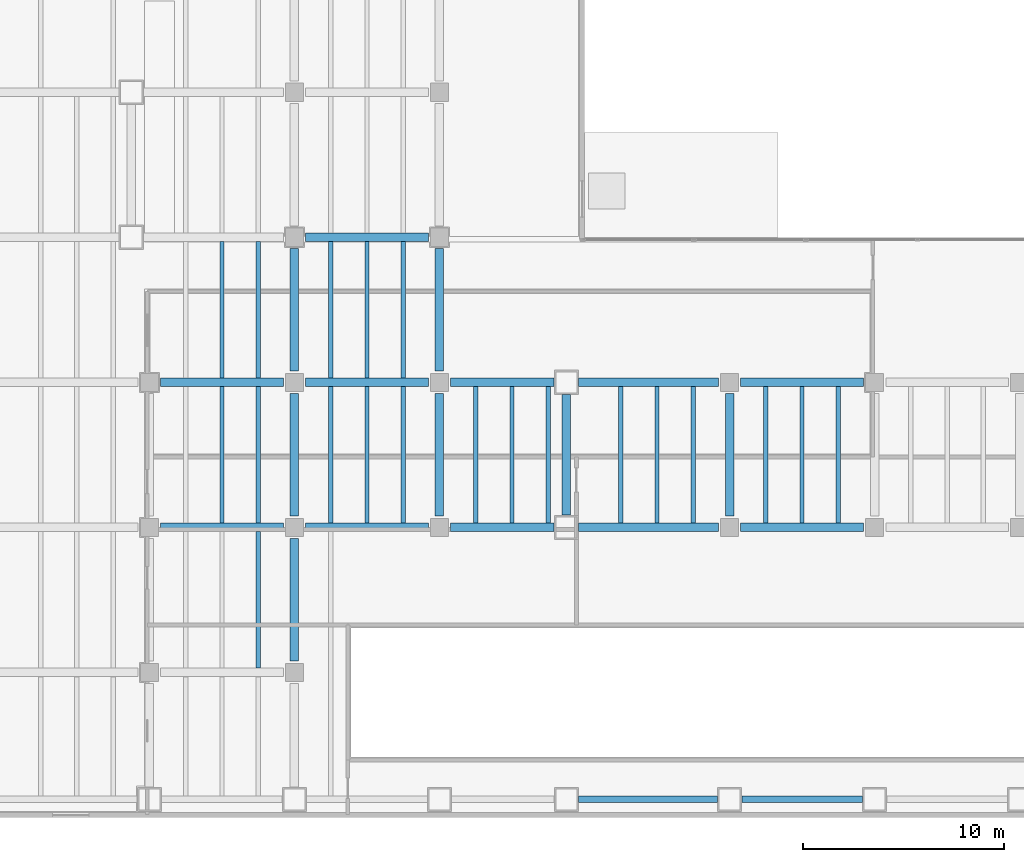
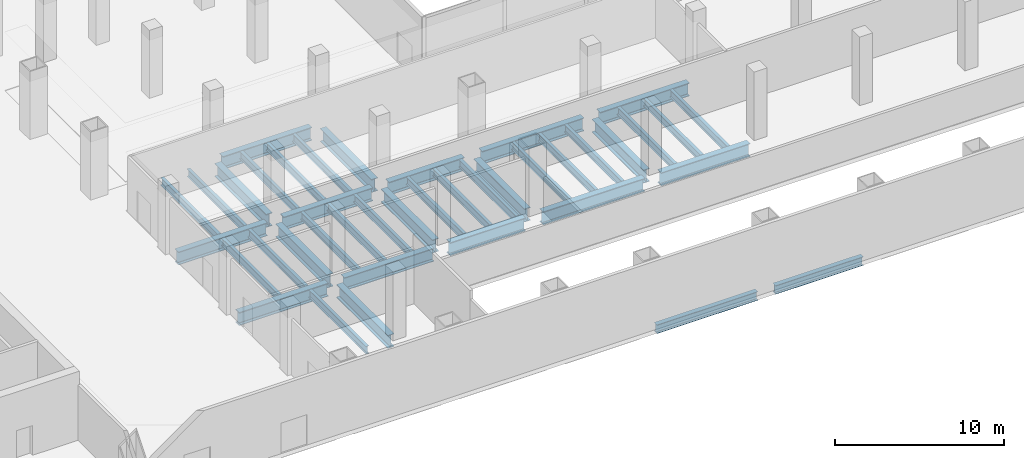
# One storey, part 2 of 17: 40 beams.
"""IFC4 building model written with IfcOpenShell, lengths in metres."""

from ifc_helpers import new_model, si_unit, direction, frame, origin, origin_2d, place, context, subcontext, project, spatial, i_section, extrude, material, material_profile, profile_set, type_object, element, save


model = new_model("IFC4")

# Units and contexts
model_context = context("Model", 3, precision=1e-05, world=origin(), true_north=direction((0.0, 1.0)))
body_context = subcontext(model_context, "Body", "Model", "MODEL_VIEW")
ifc_project = project(units=[si_unit("LENGTHUNIT", "METRE"), si_unit("AREAUNIT", "SQUARE_METRE"), si_unit("VOLUMEUNIT", "CUBIC_METRE"), si_unit("PLANEANGLEUNIT", "RADIAN"), si_unit("MASSUNIT", "GRAM", prefix="KILO")], contexts=[model_context])

# Site, building, storey
site_placement = place(None, origin())
site = spatial("IfcSite", under=ifc_project, at=site_placement, CompositionType="ELEMENT")
building_placement = place(site_placement, origin())
building = spatial("IfcBuilding", under=site, at=building_placement, Name="Cobrela Telecom Tower", CompositionType="ELEMENT")
storey_placement = place(building_placement, origin())
storey = spatial("IfcBuildingStorey", under=building, at=storey_placement, Name="L00", CompositionType="ELEMENT", Elevation=0.0)

# Beams
ifc_material = material(Name="Steel ASTM A992 Grade 50", Category="steel")
ifc_material_profile_1 = material_profile(ifc_material, i_section(OverallWidth=0.424072265625, OverallDepth=0.947021484375, WebThickness=0.02392578125, FlangeThickness=0.042724609375, FilletRadius=0.02392578125, at=origin_2d()), Name="W36X302")
ifc_profile_set_1 = profile_set([ifc_material_profile_1], Name="Steel ASTM A992 Grade 50")
beam_type_1 = type_object("IfcBeamType", Name="BM-GIRD-01", PredefinedType="USERDEFINED", material=ifc_profile_set_1)
for number, where, z_axis, x_axis, name in (
    (1, (29.35498046875, 14.39990234375, -0.7734375), (1.0, 0.0, 0.0), (0.0, 1.0, 0.0), "L00 Primary Girder X15"),
    (2, (36.554931640625, 14.39990234375, -0.7734375), (1.0, 0.0, 0.0), (0.0, 1.0, 0.0), "L00 Primary Girder X16"),
):
    element("IfcBeam", number, at=place(storey_placement, frame(where, z_axis=z_axis, x_axis=x_axis)), inside=storey, type_object=beam_type_1, Name=name, ObjectType="GIRDER", PredefinedType="USERDEFINED", context=body_context, shape_type="SweptSolid", body=[
        extrude(i_section(OverallWidth=0.424072265625, OverallDepth=0.947021484375, WebThickness=0.02392578125, FlangeThickness=0.042724609375, FilletRadius=0.02392578125, at=origin_2d()), origin(), (0.0, 0.0, 1.0), 6.090087890625),
    ])
beam_1_placement = place(storey_placement, frame((43.7548828125, 14.39990234375, -0.7734375), z_axis=(1.0, 0.0, 0.0), x_axis=(0.0, 1.0, 0.0)))
element("IfcBeam", 3, at=beam_1_placement, inside=storey, type_object=beam_type_1, Name="L00 Primary Girder X17", ObjectType="GIRDER", PredefinedType="USERDEFINED", context=body_context, shape_type="SweptSolid", body=[
    extrude(i_section(OverallWidth=0.424072265625, OverallDepth=0.947021484375, WebThickness=0.02392578125, FlangeThickness=0.042724609375, FilletRadius=0.02392578125, at=origin_2d()), origin(), (0.0, 0.0, 1.0), 5.14013671875),
])
beam_2_placement = place(storey_placement, frame((50.10498046875, 14.39990234375, -0.7734375), z_axis=(1.0, 0.0, 0.0), x_axis=(0.0, 1.0, 0.0)))
element("IfcBeam", 4, at=beam_2_placement, inside=storey, type_object=beam_type_1, Name="L00 Primary Girder X18", ObjectType="GIRDER", PredefinedType="USERDEFINED", context=body_context, shape_type="SweptSolid", body=[
    extrude(i_section(OverallWidth=0.424072265625, OverallDepth=0.947021484375, WebThickness=0.02392578125, FlangeThickness=0.042724609375, FilletRadius=0.02392578125, at=origin_2d()), origin(), (0.0, 0.0, 1.0), 6.93994140625),
])
for number, where, z_axis, x_axis, name in (
    (5, (58.155029296875, 14.39990234375, -0.7734375), (1.0, 0.0, 0.0), (0.0, 1.0, 0.0), "L00 Primary Girder X19"),
    (6, (29.35498046875, 21.60009765625, -0.7734375), (1.0, 0.0, 0.0), (0.0, 1.0, 0.0), "L00 Primary Girder X24"),
    (7, (36.554931640625, 21.60009765625, -0.7734375), (1.0, 0.0, 0.0), (0.0, 1.0, 0.0), "L00 Primary Girder X25"),
):
    element("IfcBeam", number, at=place(storey_placement, frame(where, z_axis=z_axis, x_axis=x_axis)), inside=storey, type_object=beam_type_1, Name=name, ObjectType="GIRDER", PredefinedType="USERDEFINED", context=body_context, shape_type="SweptSolid", body=[
        extrude(i_section(OverallWidth=0.424072265625, OverallDepth=0.947021484375, WebThickness=0.02392578125, FlangeThickness=0.042724609375, FilletRadius=0.02392578125, at=origin_2d()), origin(), (0.0, 0.0, 1.0), 6.090087890625),
    ])
beam_3_placement = place(storey_placement, frame((43.7548828125, 21.60009765625, -0.7734375), z_axis=(1.0, 0.0, 0.0), x_axis=(0.0, 1.0, 0.0)))
element("IfcBeam", 8, at=beam_3_placement, inside=storey, type_object=beam_type_1, Name="L00 Primary Girder X26", ObjectType="GIRDER", PredefinedType="USERDEFINED", context=body_context, shape_type="SweptSolid", body=[
    extrude(i_section(OverallWidth=0.424072265625, OverallDepth=0.947021484375, WebThickness=0.02392578125, FlangeThickness=0.042724609375, FilletRadius=0.02392578125, at=origin_2d()), origin(), (0.0, 0.0, 1.0), 5.14013671875),
])
beam_4_placement = place(storey_placement, frame((50.10498046875, 21.60009765625, -0.7734375), z_axis=(1.0, 0.0, 0.0), x_axis=(0.0, 1.0, 0.0)))
element("IfcBeam", 9, at=beam_4_placement, inside=storey, type_object=beam_type_1, Name="L00 Primary Girder X27", ObjectType="GIRDER", PredefinedType="USERDEFINED", context=body_context, shape_type="SweptSolid", body=[
    extrude(i_section(OverallWidth=0.424072265625, OverallDepth=0.947021484375, WebThickness=0.02392578125, FlangeThickness=0.042724609375, FilletRadius=0.02392578125, at=origin_2d()), origin(), (0.0, 0.0, 1.0), 6.93994140625),
])
for number, where, z_axis, x_axis, name in (
    (10, (58.155029296875, 21.60009765625, -0.7734375), (1.0, 0.0, 0.0), (0.0, 1.0, 0.0), "L00 Primary Girder X28"),
    (11, (36.554931640625, 28.800048828125, -0.7734375), (1.0, 0.0, 0.0), (0.0, 1.0, 0.0), "L00 Primary Girder X34"),
    (12, (36.0, 7.7548828125, -0.7734375), (0.0, 1.0, 0.0), (-1.0, 0.0, 0.0), "L00 Primary Girder Y66"),
):
    element("IfcBeam", number, at=place(storey_placement, frame(where, z_axis=z_axis, x_axis=x_axis)), inside=storey, type_object=beam_type_1, Name=name, ObjectType="GIRDER", PredefinedType="USERDEFINED", context=body_context, shape_type="SweptSolid", body=[
        extrude(i_section(OverallWidth=0.424072265625, OverallDepth=0.947021484375, WebThickness=0.02392578125, FlangeThickness=0.042724609375, FilletRadius=0.02392578125, at=origin_2d()), origin(), (0.0, 0.0, 1.0), 6.090087890625),
    ])
beam_5_placement = place(storey_placement, frame((36.0, 14.955078125, -0.7734375), z_axis=(0.0, 1.0, 0.0), x_axis=(-1.0, 0.0, 0.0)))
element("IfcBeam", 13, at=beam_5_placement, inside=storey, type_object=beam_type_1, Name="L00 Primary Girder Y67", ObjectType="GIRDER", PredefinedType="USERDEFINED", context=body_context, shape_type="SweptSolid", body=[
    extrude(i_section(OverallWidth=0.424072265625, OverallDepth=0.947021484375, WebThickness=0.02392578125, FlangeThickness=0.042724609375, FilletRadius=0.02392578125, at=origin_2d()), origin(), (0.0, 0.0, 1.0), 6.08984375),
])
beam_6_placement = place(storey_placement, frame((36.0, 22.155029296875, -0.7734375), z_axis=(0.0, 1.0, 0.0), x_axis=(-1.0, 0.0, 0.0)))
element("IfcBeam", 14, at=beam_6_placement, inside=storey, type_object=beam_type_1, Name="L00 Primary Girder Y68", ObjectType="GIRDER", PredefinedType="USERDEFINED", context=body_context, shape_type="SweptSolid", body=[
    extrude(i_section(OverallWidth=0.424072265625, OverallDepth=0.947021484375, WebThickness=0.02392578125, FlangeThickness=0.042724609375, FilletRadius=0.02392578125, at=origin_2d()), origin(), (0.0, 0.0, 1.0), 6.090087890625),
])
beam_7_placement = place(storey_placement, frame((43.199951171875, 14.955078125, -0.7734375), z_axis=(0.0, 1.0, 0.0), x_axis=(-1.0, 0.0, 0.0)))
element("IfcBeam", 15, at=beam_7_placement, inside=storey, type_object=beam_type_1, Name="L00 Primary Girder Y72", ObjectType="GIRDER", PredefinedType="USERDEFINED", context=body_context, shape_type="SweptSolid", body=[
    extrude(i_section(OverallWidth=0.424072265625, OverallDepth=0.947021484375, WebThickness=0.02392578125, FlangeThickness=0.042724609375, FilletRadius=0.02392578125, at=origin_2d()), origin(), (0.0, 0.0, 1.0), 6.08984375),
])
beam_8_placement = place(storey_placement, frame((43.199951171875, 22.155029296875, -0.7734375), z_axis=(0.0, 1.0, 0.0), x_axis=(-1.0, 0.0, 0.0)))
element("IfcBeam", 16, at=beam_8_placement, inside=storey, type_object=beam_type_1, Name="L00 Primary Girder Y73", ObjectType="GIRDER", PredefinedType="USERDEFINED", context=body_context, shape_type="SweptSolid", body=[
    extrude(i_section(OverallWidth=0.424072265625, OverallDepth=0.947021484375, WebThickness=0.02392578125, FlangeThickness=0.042724609375, FilletRadius=0.02392578125, at=origin_2d()), origin(), (0.0, 0.0, 1.0), 6.090087890625),
])
beam_9_placement = place(storey_placement, frame((49.5, 15.0048828125, -0.7734375), z_axis=(0.0, 1.0, 0.0), x_axis=(-1.0, 0.0, 0.0)))
element("IfcBeam", 17, at=beam_9_placement, inside=storey, type_object=beam_type_1, Name="L00 Primary Girder Y77", ObjectType="GIRDER", PredefinedType="USERDEFINED", context=body_context, shape_type="SweptSolid", body=[
    extrude(i_section(OverallWidth=0.424072265625, OverallDepth=0.947021484375, WebThickness=0.02392578125, FlangeThickness=0.042724609375, FilletRadius=0.02392578125, at=origin_2d()), origin(), (0.0, 0.0, 1.0), 5.990234375),
])
beam_10_placement = place(storey_placement, frame((57.60009765625, 14.955078125, -0.7734375), z_axis=(0.0, 1.0, 0.0), x_axis=(-1.0, 0.0, 0.0)))
element("IfcBeam", 18, at=beam_10_placement, inside=storey, type_object=beam_type_1, Name="L00 Primary Girder Y78", ObjectType="GIRDER", PredefinedType="USERDEFINED", context=body_context, shape_type="SweptSolid", body=[
    extrude(i_section(OverallWidth=0.424072265625, OverallDepth=0.947021484375, WebThickness=0.02392578125, FlangeThickness=0.042724609375, FilletRadius=0.02392578125, at=origin_2d()), origin(), (0.0, 0.0, 1.0), 6.08984375),
])
ifc_material_profile_2 = material_profile(ifc_material, i_section(OverallWidth=0.212890625, OverallDepth=0.549072265625, WebThickness=0.0146484375, FlangeThickness=0.023681640625, FilletRadius=0.013916015625, at=origin_2d()), Name="W21X93")
ifc_profile_set_2 = profile_set([ifc_material_profile_2], Name="Steel ASTM A992 Grade 50")
beam_type_2 = type_object("IfcBeamType", Name="BM-JOIST-01", PredefinedType="JOIST", material=ifc_profile_set_2)
for number, where, z_axis, x_axis, name in (
    (19, (32.39990234375, 14.616943359375, -0.574462890625), (0.0, 1.0, 0.0), (-1.0, 0.0, 0.0), "L00 Secondary Composite Floor Beam J60"),
    (20, (32.39990234375, 21.81689453125, -0.574462890625), (0.0, 1.0, 0.0), (-1.0, 0.0, 0.0), "L00 Secondary Composite Floor Beam J61"),
    (21, (34.199951171875, 7.4169921875, -0.574462890625), (0.0, 1.0, 0.0), (-1.0, 0.0, 0.0), "L00 Secondary Composite Floor Beam J64"),
    (22, (34.199951171875, 14.616943359375, -0.574462890625), (0.0, 1.0, 0.0), (-1.0, 0.0, 0.0), "L00 Secondary Composite Floor Beam J65"),
    (23, (34.199951171875, 21.81689453125, -0.574462890625), (0.0, 1.0, 0.0), (-1.0, 0.0, 0.0), "L00 Secondary Composite Floor Beam J66"),
    (24, (37.800048828125, 14.616943359375, -0.574462890625), (0.0, 1.0, 0.0), (-1.0, 0.0, 0.0), "L00 Secondary Composite Floor Beam J71"),
    (25, (37.800048828125, 21.81689453125, -0.574462890625), (0.0, 1.0, 0.0), (-1.0, 0.0, 0.0), "L00 Secondary Composite Floor Beam J72"),
    (26, (39.60009765625, 14.616943359375, -0.574462890625), (0.0, 1.0, 0.0), (-1.0, 0.0, 0.0), "L00 Secondary Composite Floor Beam J76"),
    (27, (39.60009765625, 21.81689453125, -0.574462890625), (0.0, 1.0, 0.0), (-1.0, 0.0, 0.0), "L00 Secondary Composite Floor Beam J77"),
    (28, (41.39990234375, 14.616943359375, -0.574462890625), (0.0, 1.0, 0.0), (-1.0, 0.0, 0.0), "L00 Secondary Composite Floor Beam J81"),
    (29, (41.39990234375, 21.81689453125, -0.574462890625), (0.0, 1.0, 0.0), (-1.0, 0.0, 0.0), "L00 Secondary Composite Floor Beam J82"),
    (30, (45.0, 14.616943359375, -0.574462890625), (0.0, 1.0, 0.0), (-1.0, 0.0, 0.0), "L00 Secondary Composite Floor Beam J86"),
    (31, (46.800048828125, 14.616943359375, -0.574462890625), (0.0, 1.0, 0.0), (-1.0, 0.0, 0.0), "L00 Secondary Composite Floor Beam J87"),
    (32, (48.60009765625, 14.616943359375, -0.574462890625), (0.0, 1.0, 0.0), (-1.0, 0.0, 0.0), "L00 Secondary Composite Floor Beam J88"),
    (33, (52.199951171875, 14.616943359375, -0.574462890625), (0.0, 1.0, 0.0), (-1.0, 0.0, 0.0), "L00 Secondary Composite Floor Beam J89"),
    (34, (54.0, 14.616943359375, -0.574462890625), (0.0, 1.0, 0.0), (-1.0, 0.0, 0.0), "L00 Secondary Composite Floor Beam J90"),
    (35, (55.800048828125, 14.616943359375, -0.574462890625), (0.0, 1.0, 0.0), (-1.0, 0.0, 0.0), "L00 Secondary Composite Floor Beam J91"),
    (36, (59.39990234375, 14.616943359375, -0.574462890625), (0.0, 1.0, 0.0), (-1.0, 0.0, 0.0), "L00 Secondary Composite Floor Beam J92"),
    (37, (61.199951171875, 14.616943359375, -0.574462890625), (0.0, 1.0, 0.0), (-1.0, 0.0, 0.0), "L00 Secondary Composite Floor Beam J93"),
    (38, (63.0, 14.616943359375, -0.574462890625), (0.0, 1.0, 0.0), (-1.0, 0.0, 0.0), "L00 Secondary Composite Floor Beam J94"),
):
    element("IfcBeam", number, at=place(storey_placement, frame(where, z_axis=z_axis, x_axis=x_axis)), inside=storey, type_object=beam_type_2, Name=name, PredefinedType="JOIST", context=body_context, shape_type="SweptSolid", body=[
        extrude(i_section(OverallWidth=0.212890625, OverallDepth=0.549072265625, WebThickness=0.0146484375, FlangeThickness=0.023681640625, FilletRadius=0.013916015625, at=origin_2d()), origin(), (0.0, 0.0, 1.0), 6.76611328125),
    ])
ifc_material_profile_3 = material_profile(ifc_material, i_section(OverallWidth=0.327880859375, OverallDepth=0.6220703125, WebThickness=0.015380859375, FlangeThickness=0.0244140625, FilletRadius=0.014892578125, at=origin_2d()), Name="W24X131")
ifc_profile_set_3 = profile_set([ifc_material_profile_3], Name="Steel ASTM A992 Grade 50")
beam_type_3 = type_object("IfcBeamType", Name="BM-SPAND-01", PredefinedType="SPANDREL", material=ifc_profile_set_3)
beam_11_placement = place(storey_placement, frame((50.10498046875, 0.89990234375, -0.611083984375), z_axis=(1.0, 0.0, 0.0), x_axis=(0.0, 1.0, 0.0)))
element("IfcBeam", 39, at=beam_11_placement, inside=storey, type_object=beam_type_3, Name="L00 Perimeter Spandrel X06", PredefinedType="SPANDREL", context=body_context, shape_type="SweptSolid", body=[
    extrude(i_section(OverallWidth=0.327880859375, OverallDepth=0.6220703125, WebThickness=0.015380859375, FlangeThickness=0.0244140625, FilletRadius=0.014892578125, at=origin_2d()), origin(), (0.0, 0.0, 1.0), 6.89013671875),
])
beam_12_placement = place(storey_placement, frame((58.205078125, 0.89990234375, -0.611083984375), z_axis=(1.0, 0.0, 0.0), x_axis=(0.0, 1.0, 0.0)))
element("IfcBeam", 40, at=beam_12_placement, inside=storey, type_object=beam_type_3, Name="L00 Perimeter Spandrel X07", PredefinedType="SPANDREL", context=body_context, shape_type="SweptSolid", body=[
    extrude(i_section(OverallWidth=0.327880859375, OverallDepth=0.6220703125, WebThickness=0.015380859375, FlangeThickness=0.0244140625, FilletRadius=0.014892578125, at=origin_2d()), origin(), (0.0, 0.0, 1.0), 5.989990234375),
])

save(model, "model.ifc")
